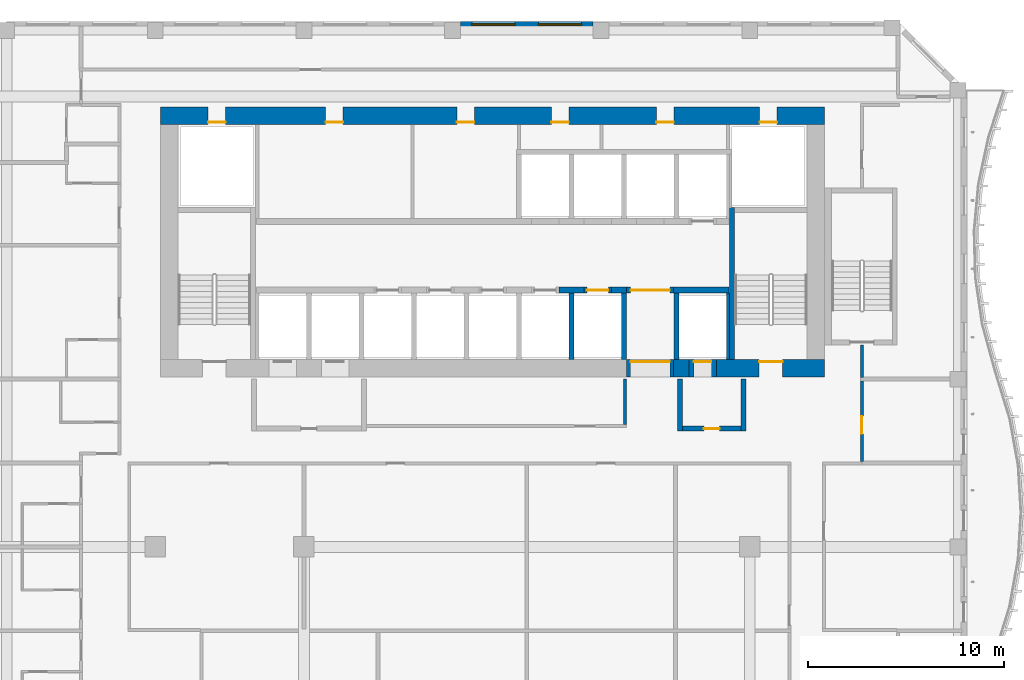
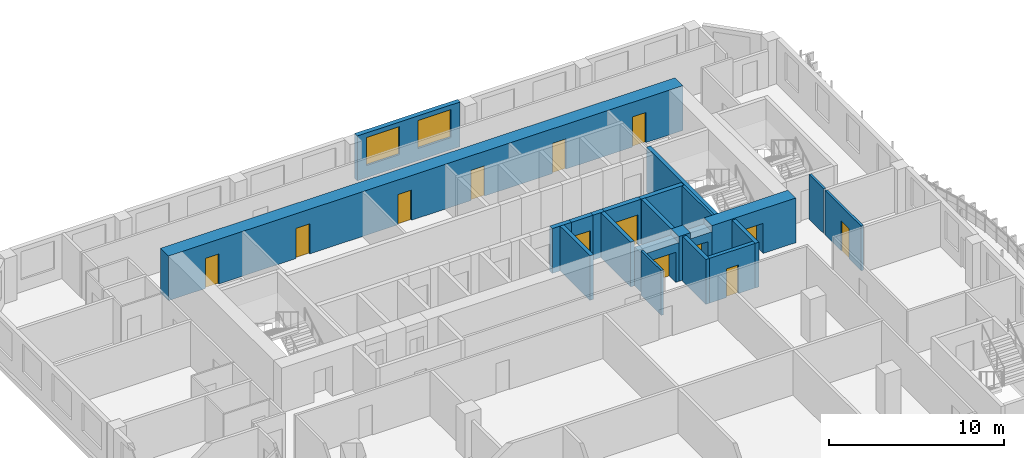
# One storey, part 9 of 23: 22 walls, 13 doors, 2 windows, 15 openings.
"""IFC4 building model written with IfcOpenShell, lengths in metres."""

from ifc_helpers import new_model, si_unit, direction, frame, frame_2d, origin, place, context, subcontext, project, spatial, rectangle, extrude, source, transform, mapped, material, layer, layer_set, type_object, element, fill, save


model = new_model("IFC4")

# Units and contexts
model_context = context("Model", 3, precision=1e-05, world=origin(), true_north=direction((0.0, 1.0)))
body_context = subcontext(model_context, "Body", "Model", "MODEL_VIEW")
ifc_project = project(units=[si_unit("LENGTHUNIT", "METRE"), si_unit("AREAUNIT", "SQUARE_METRE"), si_unit("VOLUMEUNIT", "CUBIC_METRE"), si_unit("PLANEANGLEUNIT", "RADIAN"), si_unit("MASSUNIT", "GRAM", prefix="KILO")], contexts=[model_context])

# Site, building, storey
site_placement = place(None, origin())
site = spatial("IfcSite", under=ifc_project, at=site_placement, CompositionType="ELEMENT")
building_placement = place(site_placement, origin())
building = spatial("IfcBuilding", under=site, at=building_placement, Name="Kilnfold Tower and Market Hall", CompositionType="ELEMENT")
storey_placement = place(building_placement, frame((0.0, 0.0, 178.699951171875)))
storey = spatial("IfcBuildingStorey", under=building, at=storey_placement, Name="L42", CompositionType="ELEMENT", Elevation=178.699951171875)

# Wall, opening, door
ifc_material_1 = material(Name="Gypsum board on steel studs", Category="steel")
ifc_layer_1 = layer(ifc_material_1, 0.14990234375)
ifc_layer_set_1 = layer_set([ifc_layer_1], Name="Gypsum board on steel studs")
wall_type_1 = type_object("IfcWallType", Name="WALL CORRIDOR 150", PredefinedType="PARTITIONING", material=ifc_layer_set_1)
wall_1_placement = place(storey_placement, frame((19.89990234375, 3.80908203125, 0.0), z_axis=(0.0, 0.0, 1.0), x_axis=(0.0, 1.0, 0.0)))
wall_1 = element("IfcWall", 1, at=wall_1_placement, inside=storey, type_object=wall_type_1, Name="Partition LY27.29", PredefinedType="PARTITIONING", context=body_context, shape_type="SweptSolid", body=[
    extrude(rectangle(XDim=4.100830078125, YDim=0.14990234375, at=frame_2d((2.05029296875, 0.0))), origin(), (0.0, 0.0, 1.0), 3.1201171875),
])
opening_1_placement = place(wall_1_placement, frame((1.39990234375, 0.0, 0.0)))
opening_1 = element("IfcOpeningElement", 2, at=opening_1_placement, cuts=wall_1, Name="Opening D2", PredefinedType="OPENING", context=body_context, shape_type="SweptSolid", body=[
    extrude(rectangle(XDim=0.89990234375, YDim=2.10009765625, at=frame_2d((0.449951171875, 1.050048828125))), frame((0.0, 0.0849609375, 0.0), z_axis=(0.0, -1.0, 0.0), x_axis=(1.0, 0.0, 0.0)), (0.0, 0.0, 1.0), 0.169921875),
])
ifc_material_2 = material(Name="Timber veneer door leaf in steel frame", Category="steel")
door_type_1 = type_object("IfcDoorType", Name="DOOR ROOM 900 X2100", OperationType="NOTDEFINED", PredefinedType="DOOR", material=ifc_material_2)
door_1_placement = place(opening_1_placement, origin())
door_1 = element("IfcDoor", 3, at=door_1_placement, inside=storey, type_object=door_type_1, Name="Door D2", OperationType="SINGLE_SWING_LEFT", OverallHeight=2.10009765625, OverallWidth=0.89990234375, PredefinedType="DOOR", context=body_context, shape_type="SweptSolid", body=[
    extrude(rectangle(XDim=0.89990234375, YDim=2.10009765625, at=frame_2d((0.449951171875, 1.050048828125))), frame((0.0, 0.02490234375, 0.0), z_axis=(0.0, -1.0, 0.0), x_axis=(1.0, 0.0, 0.0)), (0.0, 0.0, 1.0), 0.050048828125),
])
fill(opening_1, door_1)

# Walls
wall_2_placement = place(storey_placement, frame((19.89990234375, 8.090087890625, 0.0), z_axis=(0.0, 0.0, 1.0), x_axis=(0.0, 1.0, 0.0)))
element("IfcWall", 4, at=wall_2_placement, inside=storey, type_object=wall_type_1, Name="Partition LY27.32", PredefinedType="PARTITIONING", context=body_context, shape_type="SweptSolid", body=[
    extrude(rectangle(XDim=1.659912109375, YDim=0.14990234375, at=frame_2d((0.830078125, 0.0))), origin(), (0.0, 0.0, 1.0), 3.1201171875),
])
wall_3_placement = place(storey_placement, frame((7.800048828125, 8.0, 0.0), z_axis=(0.0, 0.0, 1.0), x_axis=(0.0, -1.0, 0.0)))
element("IfcWall", 5, at=wall_3_placement, inside=storey, type_object=wall_type_1, Name="Partition LY27.41", PredefinedType="PARTITIONING", context=body_context, shape_type="SweptSolid", body=[
    extrude(rectangle(XDim=2.324951171875, YDim=0.14990234375, at=frame_2d((1.16259765625, 0.0))), origin(), (0.0, 0.0, 1.0), 3.1201171875),
])
ifc_material_3 = material(Name="Concrete C70", Category="concrete")
ifc_layer_2 = layer(ifc_material_3, 0.89990234375)
ifc_layer_set_2 = layer_set([ifc_layer_2], Name="Concrete C70")
wall_type_2 = type_object("IfcWallType", Name="CORE WALL 900 C70", PredefinedType="SHEAR", material=ifc_layer_set_2)
shared_shape_1 = source(origin(), body_context, "Body", "SweptSolid", [
    extrude(rectangle(XDim=0.780029296875, YDim=0.89990234375, at=frame_2d((0.39013671875, 0.0))), origin(), (0.0, 0.0, 1.0), 3.1201171875),
])
wall_4_placement = place(storey_placement, frame((10.2900390625, 8.550048828125, 0.0), z_axis=(0.0, 0.0, 1.0), x_axis=(1.0, 0.0, 0.0)))
element("IfcWall", 6, at=wall_4_placement, inside=storey, type_object=wall_type_2, Name="Core outer wall south", PredefinedType="SHEAR", context=body_context, shape_type="MappedRepresentation", body=[
    mapped(shared_shape_1, transform((0.0, 0.0, 0.0))),
])

# Wall, opening, door
shared_shape_2 = source(origin(), body_context, "Body", "SweptSolid", [
    extrude(rectangle(XDim=5.530029296875, YDim=0.89990234375, at=frame_2d((2.76513671875, 0.0))), origin(), (0.0, 0.0, 1.0), 3.1201171875),
])
wall_5_placement = place(storey_placement, frame((12.469970703125, 8.550048828125, 0.0), z_axis=(0.0, 0.0, 1.0), x_axis=(1.0, 0.0, 0.0)))
wall_5 = element("IfcWall", 7, at=wall_5_placement, inside=storey, type_object=wall_type_2, Name="Core outer wall south", PredefinedType="SHEAR", context=body_context, shape_type="MappedRepresentation", body=[
    mapped(shared_shape_2, transform((0.0, 0.0, 0.0))),
])
opening_2_placement = place(wall_5_placement, frame((2.179931640625, 0.0, 0.0)))
opening_2 = element("IfcOpeningElement", 8, at=opening_2_placement, cuts=wall_5, Name="Opening SD1", PredefinedType="OPENING", context=body_context, shape_type="SweptSolid", body=[
    extrude(rectangle(XDim=1.199951171875, YDim=2.10009765625, at=frame_2d((0.60009765625, 1.050048828125))), frame((0.0, 0.4599609375, 0.0), z_axis=(0.0, -1.0, 0.0), x_axis=(1.0, 0.0, 0.0)), (0.0, 0.0, 1.0), 0.919921875),
])
ifc_material_4 = material(Name="Steel door set with fire-resisting leaf", Category="steel")
door_type_2 = type_object("IfcDoorType", Name="STAIR FLOOR DOOR 1200X2100", OperationType="NOTDEFINED", PredefinedType="DOOR", material=ifc_material_4)
door_2_placement = place(opening_2_placement, origin())
door_2 = element("IfcDoor", 9, at=door_2_placement, inside=storey, type_object=door_type_2, Name="Exit stair ST2 door", OperationType="DOUBLE_DOOR_SINGLE_SWING", OverallHeight=2.10009765625, OverallWidth=1.199951171875, PredefinedType="DOOR", context=body_context, shape_type="SweptSolid", body=[
    extrude(rectangle(XDim=1.199951171875, YDim=2.10009765625, at=frame_2d((0.60009765625, 1.050048828125))), frame((0.0, 0.35498046875, 0.0), z_axis=(0.0, -1.0, 0.0), x_axis=(1.0, 0.0, 0.0)), (0.0, 0.0, 1.0), 0.050048828125),
])
fill(opening_2, door_2)

# Wall, openings, doors
shared_shape_3 = source(origin(), body_context, "Body", "SweptSolid", [
    extrude(rectangle(XDim=33.89990234375, YDim=0.89990234375, at=frame_2d((16.949951171875, 0.0))), origin(), (0.0, 0.0, 1.0), 3.1201171875),
])
wall_6_placement = place(storey_placement, frame((-15.89990234375, 21.449951171875, 0.0), z_axis=(0.0, 0.0, 1.0), x_axis=(1.0, 0.0, 0.0)))
wall_6 = element("IfcWall", 10, at=wall_6_placement, inside=storey, type_object=wall_type_2, Name="Core outer wall north", PredefinedType="SHEAR", context=body_context, shape_type="MappedRepresentation", body=[
    mapped(shared_shape_3, transform((0.0, 0.0, 0.0))),
])
opening_3_placement = place(wall_6_placement, frame((8.419921875, 0.0, 0.0)))
opening_3 = element("IfcOpeningElement", 11, at=opening_3_placement, cuts=wall_6, Name="Opening KD1", PredefinedType="OPENING", context=body_context, shape_type="SweptSolid", body=[
    extrude(rectangle(XDim=0.89990234375, YDim=2.10009765625, at=frame_2d((0.449951171875, 1.050048828125))), frame((0.0, 0.4599609375, 0.0), z_axis=(0.0, -1.0, 0.0), x_axis=(1.0, 0.0, 0.0)), (0.0, 0.0, 1.0), 0.919921875),
])
opening_4_placement = place(wall_6_placement, frame((15.119873046875, 0.0, 0.0)))
opening_4 = element("IfcOpeningElement", 12, at=opening_4_placement, cuts=wall_6, Name="Opening KD1", PredefinedType="OPENING", context=body_context, shape_type="SweptSolid", body=[
    extrude(rectangle(XDim=0.89990234375, YDim=2.10009765625, at=frame_2d((0.449951171875, 1.050048828125))), frame((0.0, 0.4599609375, 0.0), z_axis=(0.0, -1.0, 0.0), x_axis=(1.0, 0.0, 0.0)), (0.0, 0.0, 1.0), 0.919921875),
])
opening_5_placement = place(wall_6_placement, frame((19.94384765625, 0.0, 0.0)))
opening_5 = element("IfcOpeningElement", 13, at=opening_5_placement, cuts=wall_6, Name="Opening KD1", PredefinedType="OPENING", context=body_context, shape_type="SweptSolid", body=[
    extrude(rectangle(XDim=0.89990234375, YDim=2.10009765625, at=frame_2d((0.449951171875, 1.050048828125))), frame((0.0, 0.4599609375, 0.0), z_axis=(0.0, -1.0, 0.0), x_axis=(1.0, 0.0, 0.0)), (0.0, 0.0, 1.0), 0.919921875),
])
opening_6_placement = place(wall_6_placement, frame((25.3037109375, 0.0, 0.0)))
opening_6 = element("IfcOpeningElement", 14, at=opening_6_placement, cuts=wall_6, Name="Opening KD1", PredefinedType="OPENING", context=body_context, shape_type="SweptSolid", body=[
    extrude(rectangle(XDim=0.89990234375, YDim=2.10009765625, at=frame_2d((0.449951171875, 1.050048828125))), frame((0.0, 0.4599609375, 0.0), z_axis=(0.0, -1.0, 0.0), x_axis=(1.0, 0.0, 0.0)), (0.0, 0.0, 1.0), 0.919921875),
])
opening_7_placement = place(wall_6_placement, frame((2.425048828125, 0.0, 0.0)))
opening_7 = element("IfcOpeningElement", 15, at=opening_7_placement, cuts=wall_6, Name="Opening KD1", PredefinedType="OPENING", context=body_context, shape_type="SweptSolid", body=[
    extrude(rectangle(XDim=0.89990234375, YDim=2.10009765625, at=frame_2d((0.449951171875, 1.050048828125))), frame((0.0, 0.4599609375, 0.0), z_axis=(0.0, -1.0, 0.0), x_axis=(1.0, 0.0, 0.0)), (0.0, 0.0, 1.0), 0.919921875),
])
opening_8_placement = place(wall_6_placement, frame((30.574951171875, 0.0, 0.0)))
opening_8 = element("IfcOpeningElement", 16, at=opening_8_placement, cuts=wall_6, Name="Opening KD1", PredefinedType="OPENING", context=body_context, shape_type="SweptSolid", body=[
    extrude(rectangle(XDim=0.89990234375, YDim=2.10009765625, at=frame_2d((0.449951171875, 1.050048828125))), frame((0.0, 0.4599609375, 0.0), z_axis=(0.0, -1.0, 0.0), x_axis=(1.0, 0.0, 0.0)), (0.0, 0.0, 1.0), 0.919921875),
])
ifc_material_5 = material(Name="Steel door set with fire-resisting leaf", Category="steel")
door_type_3 = type_object("IfcDoorType", Name="SERVICE DOOR 900X2100", OperationType="NOTDEFINED", PredefinedType="DOOR", material=ifc_material_5)
door_3_placement = place(opening_3_placement, origin())
door_3 = element("IfcDoor", 17, at=door_3_placement, inside=storey, type_object=door_type_3, Name="Core service door", OperationType="SINGLE_SWING_RIGHT", OverallHeight=2.10009765625, OverallWidth=0.89990234375, PredefinedType="DOOR", context=body_context, shape_type="SweptSolid", body=[
    extrude(rectangle(XDim=0.89990234375, YDim=2.10009765625, at=frame_2d((0.449951171875, 1.050048828125))), frame((0.0, -0.30517578125, 0.0), z_axis=(0.0, -1.0, 0.0), x_axis=(1.0, 0.0, 0.0)), (0.0, 0.0, 1.0), 0.050048828125),
])
fill(opening_3, door_3)
door_4_placement = place(opening_4_placement, origin())
door_4 = element("IfcDoor", 18, at=door_4_placement, inside=storey, type_object=door_type_3, Name="Core service door", OperationType="SINGLE_SWING_LEFT", OverallHeight=2.10009765625, OverallWidth=0.89990234375, PredefinedType="DOOR", context=body_context, shape_type="SweptSolid", body=[
    extrude(rectangle(XDim=0.89990234375, YDim=2.10009765625, at=frame_2d((0.449951171875, 1.050048828125))), frame((0.0, -0.30517578125, 0.0), z_axis=(0.0, -1.0, 0.0), x_axis=(1.0, 0.0, 0.0)), (0.0, 0.0, 1.0), 0.050048828125),
])
fill(opening_4, door_4)
door_5_placement = place(opening_5_placement, origin())
door_5 = element("IfcDoor", 19, at=door_5_placement, inside=storey, type_object=door_type_3, Name="Core service door", OperationType="SINGLE_SWING_RIGHT", OverallHeight=2.10009765625, OverallWidth=0.89990234375, PredefinedType="DOOR", context=body_context, shape_type="SweptSolid", body=[
    extrude(rectangle(XDim=0.89990234375, YDim=2.10009765625, at=frame_2d((0.449951171875, 1.050048828125))), frame((0.0, -0.30517578125, 0.0), z_axis=(0.0, -1.0, 0.0), x_axis=(1.0, 0.0, 0.0)), (0.0, 0.0, 1.0), 0.050048828125),
])
fill(opening_5, door_5)
door_6_placement = place(opening_6_placement, origin())
door_6 = element("IfcDoor", 20, at=door_6_placement, inside=storey, type_object=door_type_3, Name="Core service door", OperationType="SINGLE_SWING_LEFT", OverallHeight=2.10009765625, OverallWidth=0.89990234375, PredefinedType="DOOR", context=body_context, shape_type="SweptSolid", body=[
    extrude(rectangle(XDim=0.89990234375, YDim=2.10009765625, at=frame_2d((0.449951171875, 1.050048828125))), frame((0.0, -0.30517578125, 0.0), z_axis=(0.0, -1.0, 0.0), x_axis=(1.0, 0.0, 0.0)), (0.0, 0.0, 1.0), 0.050048828125),
])
fill(opening_6, door_6)
door_7_placement = place(opening_7_placement, origin())
door_7 = element("IfcDoor", 21, at=door_7_placement, inside=storey, type_object=door_type_3, Name="Electrical riser access door", OperationType="SINGLE_SWING_RIGHT", OverallHeight=2.10009765625, OverallWidth=0.89990234375, PredefinedType="DOOR", context=body_context, shape_type="SweptSolid", body=[
    extrude(rectangle(XDim=0.89990234375, YDim=2.10009765625, at=frame_2d((0.449951171875, 1.050048828125))), frame((0.0, -0.30517578125, 0.0), z_axis=(0.0, -1.0, 0.0), x_axis=(1.0, 0.0, 0.0)), (0.0, 0.0, 1.0), 0.050048828125),
])
fill(opening_7, door_7)
door_8_placement = place(opening_8_placement, origin())
door_8 = element("IfcDoor", 22, at=door_8_placement, inside=storey, type_object=door_type_3, Name="Mechanical riser access door", OperationType="SINGLE_SWING_LEFT", OverallHeight=2.10009765625, OverallWidth=0.89990234375, PredefinedType="DOOR", context=body_context, shape_type="SweptSolid", body=[
    extrude(rectangle(XDim=0.89990234375, YDim=2.10009765625, at=frame_2d((0.449951171875, 1.050048828125))), frame((0.0, -0.30517578125, 0.0), z_axis=(0.0, -1.0, 0.0), x_axis=(1.0, 0.0, 0.0)), (0.0, 0.0, 1.0), 0.050048828125),
])
fill(opening_8, door_8)

# Walls
ifc_material_6 = material(Name="Concrete C70", Category="concrete")
ifc_layer_3 = layer(ifc_material_6, 0.25)
ifc_layer_set_3 = layer_set([ifc_layer_3], Name="Concrete C70")
wall_type_3 = type_object("IfcWallType", Name="CORE WALL 250 C70", PredefinedType="SHEAR", material=ifc_layer_set_3)
shared_shape_4 = source(origin(), body_context, "Body", "SweptSolid", [
    extrude(rectangle(XDim=7.75, YDim=0.25, at=frame_2d((3.875, 0.0))), origin(), (0.0, 0.0, 1.0), 3.1201171875),
])
wall_7_placement = place(storey_placement, frame((13.27490234375, 9.0, 0.0), z_axis=(0.0, 0.0, 1.0), x_axis=(0.0, 1.0, 0.0)))
element("IfcWall", 23, at=wall_7_placement, inside=storey, type_object=wall_type_3, Name="Stair enclosure ST2", PredefinedType="SHEAR", context=body_context, shape_type="MappedRepresentation", body=[
    mapped(shared_shape_4, transform((0.0, 0.0, 0.0))),
])
ifc_material_7 = material(Name="Concrete C70", Category="concrete")
ifc_layer_4 = layer(ifc_material_7, 0.300048828125)
ifc_layer_set_4 = layer_set([ifc_layer_4], Name="Concrete C70")
wall_type_4 = type_object("IfcWallType", Name="CORE WALL 300 C70", PredefinedType="SHEAR", material=ifc_layer_set_4)
shared_shape_5 = source(origin(), body_context, "Body", "SweptSolid", [
    extrude(rectangle(XDim=1.280029296875, YDim=0.300048828125, at=frame_2d((0.64013671875, 0.0))), origin(), (0.0, 0.0, 1.0), 3.1201171875),
])
wall_8_placement = place(storey_placement, frame((4.429931640625, 12.550048828125, 0.0), z_axis=(0.0, 0.0, 1.0), x_axis=(1.0, 0.0, 0.0)))
element("IfcWall", 24, at=wall_8_placement, inside=storey, type_object=wall_type_4, Name="Core spine wall", PredefinedType="SHEAR", context=body_context, shape_type="MappedRepresentation", body=[
    mapped(shared_shape_5, transform((0.0, 0.0, 0.0))),
])
shared_shape_6 = source(origin(), body_context, "Body", "SweptSolid", [
    extrude(rectangle(XDim=0.77978515625, YDim=0.300048828125, at=frame_2d((0.389892578125, 0.0))), origin(), (0.0, 0.0, 1.0), 3.1201171875),
])
wall_9_placement = place(storey_placement, frame((7.110107421875, 12.550048828125, 0.0), z_axis=(0.0, 0.0, 1.0), x_axis=(1.0, 0.0, 0.0)))
element("IfcWall", 25, at=wall_9_placement, inside=storey, type_object=wall_type_4, Name="Core spine wall", PredefinedType="SHEAR", context=body_context, shape_type="MappedRepresentation", body=[
    mapped(shared_shape_6, transform((0.0, 0.0, 0.0))),
])
shared_shape_7 = source(origin(), body_context, "Body", "SweptSolid", [
    extrude(rectangle(XDim=2.820068359375, YDim=0.300048828125, at=frame_2d((1.41015625, 0.0))), origin(), (0.0, 0.0, 1.0), 3.1201171875),
])
wall_10_placement = place(storey_placement, frame((10.2900390625, 12.550048828125, 0.0), z_axis=(0.0, 0.0, 1.0), x_axis=(1.0, 0.0, 0.0)))
element("IfcWall", 26, at=wall_10_placement, inside=storey, type_object=wall_type_4, Name="Core spine wall", PredefinedType="SHEAR", context=body_context, shape_type="MappedRepresentation", body=[
    mapped(shared_shape_7, transform((0.0, 0.0, 0.0))),
])

# Wall, openings, windows
ifc_material_8 = material(Name="Precast concrete C50/60", Category="concrete")
ifc_layer_5 = layer(ifc_material_8, 0.300048828125)
ifc_layer_set_5 = layer_set([ifc_layer_5], Name="Precast concrete C50/60")
wall_type_5 = type_object("IfcWallType", Name="PRECAST WALL 300", PredefinedType="SOLIDWALL", material=ifc_layer_set_5)
shared_shape_8 = source(origin(), body_context, "Body", "SweptSolid", [
    extrude(rectangle(XDim=6.783447265625, YDim=0.300048828125, at=frame_2d((3.3916015625, 0.0))), origin(), (0.0, 0.0, 1.0), 3.1201171875),
])
wall_11_placement = place(storey_placement, frame((6.183349609375, 26.10009765625, 0.0), z_axis=(0.0, 0.0, 1.0), x_axis=(-1.0, 0.0, 0.0)))
wall_11 = element("IfcWall", 27, at=wall_11_placement, inside=storey, type_object=wall_type_5, Name="External wall L42 N", PredefinedType="SOLIDWALL", context=body_context, shape_type="MappedRepresentation", body=[
    mapped(shared_shape_8, transform((0.0, 0.0, 0.0))),
])
opening_9_placement = place(wall_11_placement, frame((0.595703125, 0.0, 0.85009765625)))
opening_9 = element("IfcOpeningElement", 28, at=opening_9_placement, cuts=wall_11, Name="Opening W2", PredefinedType="OPENING", context=body_context, shape_type="SweptSolid", body=[
    extrude(rectangle(XDim=2.199951171875, YDim=1.949951171875, at=frame_2d((1.10009765625, 0.97509765625))), frame((0.0, 0.16015625, 0.0), z_axis=(0.0, -1.0, 0.0), x_axis=(1.0, 0.0, 0.0)), (0.0, 0.0, 1.0), 0.320068359375),
])
opening_10_placement = place(wall_11_placement, frame((3.987548828125, 0.0, 0.85009765625)))
opening_10 = element("IfcOpeningElement", 29, at=opening_10_placement, cuts=wall_11, Name="Opening W2", PredefinedType="OPENING", context=body_context, shape_type="SweptSolid", body=[
    extrude(rectangle(XDim=2.199951171875, YDim=1.949951171875, at=frame_2d((1.10009765625, 0.97509765625))), frame((0.0, 0.16015625, 0.0), z_axis=(0.0, -1.0, 0.0), x_axis=(1.0, 0.0, 0.0)), (0.0, 0.0, 1.0), 0.320068359375),
])
ifc_material_9 = material(Name="Aluminium frame and double glazing", Category="aluminium")
window_type = type_object("IfcWindowType", Name="WINDOW W2 2200X1950", PartitioningType="SINGLE_PANEL", PredefinedType="WINDOW", material=ifc_material_9)
window_1_placement = place(opening_9_placement, origin())
window_1 = element("IfcWindow", 30, at=window_1_placement, inside=storey, type_object=window_type, Name="Window W2 L42 N-1", OverallHeight=1.949951171875, OverallWidth=2.199951171875, PartitioningType="SINGLE_PANEL", PredefinedType="WINDOW", context=body_context, shape_type="SweptSolid", body=[
    extrude(rectangle(XDim=2.199951171875, YDim=1.949951171875, at=frame_2d((1.10009765625, 0.97509765625))), frame((0.0, 0.030029296875, 0.0), z_axis=(0.0, -1.0, 0.0), x_axis=(1.0, 0.0, 0.0)), (0.0, 0.0, 1.0), 0.06005859375),
])
fill(opening_9, window_1)
window_2_placement = place(opening_10_placement, origin())
window_2 = element("IfcWindow", 31, at=window_2_placement, inside=storey, type_object=window_type, Name="Window W2 L42 N-2", OverallHeight=1.949951171875, OverallWidth=2.199951171875, PartitioningType="SINGLE_PANEL", PredefinedType="WINDOW", context=body_context, shape_type="SweptSolid", body=[
    extrude(rectangle(XDim=2.199951171875, YDim=1.949951171875, at=frame_2d((1.10009765625, 0.97509765625))), frame((0.0, 0.030029296875, 0.0), z_axis=(0.0, -1.0, 0.0), x_axis=(1.0, 0.0, 0.0)), (0.0, 0.0, 1.0), 0.06005859375),
])
fill(opening_10, window_2)

# Wall, opening, door
ifc_material_10 = material(Name="Gypsum shaft wall system")
ifc_layer_6 = layer(ifc_material_10, 0.89990234375)
ifc_layer_set_6 = layer_set([ifc_layer_6], Name="Gypsum shaft wall system")
wall_type_6 = type_object("IfcWallType", Name="LOBBY WALL 900", PredefinedType="PARTITIONING", material=ifc_layer_set_6)
shared_shape_9 = source(origin(), body_context, "Body", "SweptSolid", [
    extrude(rectangle(XDim=1.39990234375, YDim=0.89990234375, at=frame_2d((0.699951171875, 0.0))), origin(), (0.0, 0.0, 1.0), 2.699951171875),
])
wall_12_placement = place(storey_placement, frame((11.070068359375, 8.550048828125, 0.0), z_axis=(0.0, 0.0, 1.0), x_axis=(1.0, 0.0, 0.0)))
wall_12 = element("IfcWall", 32, at=wall_12_placement, inside=storey, type_object=wall_type_6, Name="Core wall infill", PredefinedType="PARTITIONING", context=body_context, shape_type="MappedRepresentation", body=[
    mapped(shared_shape_9, transform((0.0, 0.0, 0.0))),
])
opening_11_placement = place(wall_12_placement, frame((0.25, 0.0, 0.0)))
opening_11 = element("IfcOpeningElement", 33, at=opening_11_placement, cuts=wall_12, Name="Opening LD1", PredefinedType="OPENING", context=body_context, shape_type="SweptSolid", body=[
    extrude(rectangle(XDim=0.89990234375, YDim=2.10009765625, at=frame_2d((0.449951171875, 1.050048828125))), frame((0.0, 0.4599609375, 0.0), z_axis=(0.0, -1.0, 0.0), x_axis=(1.0, 0.0, 0.0)), (0.0, 0.0, 1.0), 0.919921875),
])
ifc_material_11 = material(Name="Steel door set with fire-resisting leaf", Category="steel")
door_type_4 = type_object("IfcDoorType", Name="FIREFIGHTING LANDING DOOR 900X2100", OperationType="NOTDEFINED", PredefinedType="DOOR", material=ifc_material_11)
door_9_placement = place(opening_11_placement, origin())
door_9 = element("IfcDoor", 34, at=door_9_placement, inside=storey, type_object=door_type_4, Name="Landing door FF3", OperationType="SLIDING_TO_LEFT", OverallHeight=2.10009765625, OverallWidth=0.89990234375, PredefinedType="DOOR", context=body_context, shape_type="SweptSolid", body=[
    extrude(rectangle(XDim=0.89990234375, YDim=2.10009765625, at=frame_2d((0.449951171875, 1.050048828125))), frame((0.0, 0.35498046875, 0.0), z_axis=(0.0, -1.0, 0.0), x_axis=(1.0, 0.0, 0.0)), (0.0, 0.0, 1.0), 0.050048828125),
])
fill(opening_11, door_9)

shared_shape_10 = source(origin(), body_context, "Body", "SweptSolid", [
    extrude(rectangle(XDim=2.400146484375, YDim=0.89990234375, at=frame_2d((1.2001953125, 0.0))), origin(), (0.0, 0.0, 1.0), 2.699951171875),
])
wall_13_placement = place(storey_placement, frame((7.889892578125, 8.550048828125, 0.0), z_axis=(0.0, 0.0, 1.0), x_axis=(1.0, 0.0, 0.0)))
wall_13 = element("IfcWall", 35, at=wall_13_placement, inside=storey, type_object=wall_type_6, Name="Core wall infill", PredefinedType="PARTITIONING", context=body_context, shape_type="MappedRepresentation", body=[
    mapped(shared_shape_10, transform((0.0, 0.0, 0.0))),
])
opening_12_placement = place(wall_13_placement, frame((0.199951171875, 0.0, 0.0)))
opening_12 = element("IfcOpeningElement", 36, at=opening_12_placement, cuts=wall_13, Name="Opening VD2", PredefinedType="OPENING", context=body_context, shape_type="SweptSolid", body=[
    extrude(rectangle(XDim=2.0, YDim=2.10009765625, at=frame_2d((1.0, 1.050048828125))), frame((0.0, 0.4599609375, 0.0), z_axis=(0.0, -1.0, 0.0), x_axis=(1.0, 0.0, 0.0)), (0.0, 0.0, 1.0), 0.919921875),
])
ifc_material_12 = material(Name="Steel door set with fire-resisting leaf", Category="steel")
door_type_5 = type_object("IfcDoorType", Name="LIFT LOBBY ENTRANCE DOOR 2000X2100", OperationType="NOTDEFINED", PredefinedType="DOOR", material=ifc_material_12)
door_10_placement = place(opening_12_placement, origin())
door_10 = element("IfcDoor", 37, at=door_10_placement, inside=storey, type_object=door_type_5, Name="Lift lobby entrance door", OperationType="DOUBLE_DOOR_SINGLE_SWING", OverallHeight=2.10009765625, OverallWidth=2.0, PredefinedType="DOOR", context=body_context, shape_type="SweptSolid", body=[
    extrude(rectangle(XDim=2.0, YDim=2.10009765625, at=frame_2d((1.0, 1.050048828125))), frame((0.0, 0.35498046875, 0.0), z_axis=(0.0, -1.0, 0.0), x_axis=(1.0, 0.0, 0.0)), (0.0, 0.0, 1.0), 0.050048828125),
])
fill(opening_12, door_10)

ifc_material_13 = material(Name="Gypsum shaft wall system")
ifc_layer_7 = layer(ifc_material_13, 0.300048828125)
ifc_layer_set_7 = layer_set([ifc_layer_7], Name="Gypsum shaft wall system")
wall_type_7 = type_object("IfcWallType", Name="SHAFT WALL 300", PredefinedType="PARTITIONING", material=ifc_layer_set_7)
shared_shape_11 = source(origin(), body_context, "Body", "SweptSolid", [
    extrude(rectangle(XDim=1.400146484375, YDim=0.300048828125, at=frame_2d((0.7001953125, 0.0))), origin(), (0.0, 0.0, 1.0), 3.1201171875),
])
wall_14_placement = place(storey_placement, frame((5.7099609375, 12.550048828125, 0.0), z_axis=(0.0, 0.0, 1.0), x_axis=(1.0, 0.0, 0.0)))
wall_14 = element("IfcWall", 38, at=wall_14_placement, inside=storey, type_object=wall_type_7, Name="Lift shaft front wall", PredefinedType="PARTITIONING", context=body_context, shape_type="MappedRepresentation", body=[
    mapped(shared_shape_11, transform((0.0, 0.0, 0.0))),
])
opening_13_placement = place(wall_14_placement, frame((0.14990234375, 0.0, 0.0)))
opening_13 = element("IfcOpeningElement", 39, at=opening_13_placement, cuts=wall_14, Name="Opening LD2", PredefinedType="OPENING", context=body_context, shape_type="SweptSolid", body=[
    extrude(rectangle(XDim=1.10009765625, YDim=2.10009765625, at=frame_2d((0.550048828125, 1.050048828125))), frame((0.0, 0.16015625, 0.0), z_axis=(0.0, -1.0, 0.0), x_axis=(1.0, 0.0, 0.0)), (0.0, 0.0, 1.0), 0.320068359375),
])
ifc_material_14 = material(Name="Steel door set with fire-resisting leaf", Category="steel")
door_type_6 = type_object("IfcDoorType", Name="LANDING DOOR 1100X2100", OperationType="NOTDEFINED", PredefinedType="DOOR", material=ifc_material_14)
door_11_placement = place(opening_13_placement, origin())
door_11 = element("IfcDoor", 40, at=door_11_placement, inside=storey, type_object=door_type_6, Name="Landing door MR5", OperationType="DOUBLE_DOOR_SLIDING", OverallHeight=2.10009765625, OverallWidth=1.10009765625, PredefinedType="DOOR", context=body_context, shape_type="SweptSolid", body=[
    extrude(rectangle(XDim=1.10009765625, YDim=2.10009765625, at=frame_2d((0.550048828125, 1.050048828125))), frame((0.0, 0.02490234375, 0.0), z_axis=(0.0, -1.0, 0.0), x_axis=(1.0, 0.0, 0.0)), (0.0, 0.0, 1.0), 0.050048828125),
])
fill(opening_13, door_11)

shared_shape_12 = source(origin(), body_context, "Body", "SweptSolid", [
    extrude(rectangle(XDim=2.400146484375, YDim=0.300048828125, at=frame_2d((1.2001953125, 0.0))), origin(), (0.0, 0.0, 1.0), 3.1201171875),
])
wall_15_placement = place(storey_placement, frame((7.889892578125, 12.550048828125, 0.0), z_axis=(0.0, 0.0, 1.0), x_axis=(1.0, 0.0, 0.0)))
wall_15 = element("IfcWall", 41, at=wall_15_placement, inside=storey, type_object=wall_type_7, Name="Lift shaft front wall", PredefinedType="PARTITIONING", context=body_context, shape_type="MappedRepresentation", body=[
    mapped(shared_shape_12, transform((0.0, 0.0, 0.0))),
])
opening_14_placement = place(wall_15_placement, frame((0.199951171875, 0.0, 0.0)))
opening_14 = element("IfcOpeningElement", 42, at=opening_14_placement, cuts=wall_15, Name="Opening VD2", PredefinedType="OPENING", context=body_context, shape_type="SweptSolid", body=[
    extrude(rectangle(XDim=2.0, YDim=2.10009765625, at=frame_2d((1.0, 1.050048828125))), frame((0.0, 0.16015625, 0.0), z_axis=(0.0, -1.0, 0.0), x_axis=(1.0, 0.0, 0.0)), (0.0, 0.0, 1.0), 0.320068359375),
])
door_12_placement = place(opening_14_placement, origin())
door_12 = element("IfcDoor", 43, at=door_12_placement, inside=storey, type_object=door_type_5, Name="Lift lobby entrance door", OperationType="DOUBLE_DOOR_SINGLE_SWING", OverallHeight=2.10009765625, OverallWidth=2.0, PredefinedType="DOOR", context=body_context, shape_type="SweptSolid", body=[
    extrude(rectangle(XDim=2.0, YDim=2.10009765625, at=frame_2d((1.0, 1.050048828125))), frame((0.0, 0.02490234375, 0.0), z_axis=(0.0, -1.0, 0.0), x_axis=(1.0, 0.0, 0.0)), (0.0, 0.0, 1.0), 0.050048828125),
])
fill(opening_14, door_12)

# Walls
ifc_material_15 = material(Name="Gypsum shaft wall system")
ifc_layer_8 = layer(ifc_material_15, 0.25)
ifc_layer_set_8 = layer_set([ifc_layer_8], Name="Gypsum shaft wall system")
wall_type_8 = type_object("IfcWallType", Name="LOBBY WALL 250", PredefinedType="PARTITIONING", material=ifc_layer_set_8)
shared_shape_13 = source(origin(), body_context, "Body", "SweptSolid", [
    extrude(rectangle(XDim=2.64990234375, YDim=0.25, at=frame_2d((1.324951171875, 0.0))), origin(), (0.0, 0.0, 1.0), 3.1201171875),
])
for number, where, z_axis, x_axis, name in (
    (44, (10.60498046875, 5.35009765625, 0.0), (0.0, 0.0, 1.0), (0.0, 1.0, 0.0), "Firefighting lobby wall"),
    (45, (13.85498046875, 5.35009765625, 0.0), (0.0, 0.0, 1.0), (0.0, 1.0, 0.0), "Firefighting lobby wall"),
):
    element("IfcWall", number, at=place(storey_placement, frame(where, z_axis=z_axis, x_axis=x_axis)), inside=storey, type_object=wall_type_8, Name=name, PredefinedType="PARTITIONING", context=body_context, shape_type="MappedRepresentation", body=[
        mapped(shared_shape_13, transform((0.0, 0.0, 0.0))),
    ])

# Wall, opening, door
shared_shape_14 = source(origin(), body_context, "Body", "SweptSolid", [
    extrude(rectangle(XDim=3.0, YDim=0.25, at=frame_2d((1.5, 0.0))), origin(), (0.0, 0.0, 1.0), 3.1201171875),
])
wall_16_placement = place(storey_placement, frame((10.72998046875, 5.47509765625, 0.0), z_axis=(0.0, 0.0, 1.0), x_axis=(1.0, 0.0, 0.0)))
wall_16 = element("IfcWall", 46, at=wall_16_placement, inside=storey, type_object=wall_type_8, Name="Firefighting lobby wall", PredefinedType="PARTITIONING", context=body_context, shape_type="MappedRepresentation", body=[
    mapped(shared_shape_14, transform((0.0, 0.0, 0.0))),
])
opening_15_placement = place(wall_16_placement, frame((1.10009765625, 0.0, 0.0)))
opening_15 = element("IfcOpeningElement", 47, at=opening_15_placement, cuts=wall_16, Name="Opening VD1", PredefinedType="OPENING", context=body_context, shape_type="SweptSolid", body=[
    extrude(rectangle(XDim=0.800048828125, YDim=2.0, at=frame_2d((0.39990234375, 1.0))), frame((0.0, 0.135009765625, 0.0), z_axis=(0.0, -1.0, 0.0), x_axis=(1.0, 0.0, 0.0)), (0.0, 0.0, 1.0), 0.27001953125),
])
ifc_material_16 = material(Name="Steel door set with fire-resisting leaf", Category="steel")
door_type_7 = type_object("IfcDoorType", Name="FIREFIGHTING LOBBY DOOR 800X2000", OperationType="NOTDEFINED", PredefinedType="DOOR", material=ifc_material_16)
door_13_placement = place(opening_15_placement, origin())
door_13 = element("IfcDoor", 48, at=door_13_placement, inside=storey, type_object=door_type_7, Name="Firefighting lobby door", OperationType="SINGLE_SWING_RIGHT", OverallHeight=2.0, OverallWidth=0.800048828125, PredefinedType="DOOR", context=body_context, shape_type="SweptSolid", body=[
    extrude(rectangle(XDim=0.800048828125, YDim=2.0, at=frame_2d((0.39990234375, 1.0))), frame((0.0, 0.02490234375, 0.0), z_axis=(0.0, -1.0, 0.0), x_axis=(1.0, 0.0, 0.0)), (0.0, 0.0, 1.0), 0.050048828125),
])
fill(opening_15, door_13)

# Walls
ifc_material_17 = material(Name="Gypsum shaft wall system")
ifc_layer_9 = layer(ifc_material_17, 0.25)
ifc_layer_set_9 = layer_set([ifc_layer_9], Name="Gypsum shaft wall system")
wall_type_9 = type_object("IfcWallType", Name="SHAFT WALL 250", PredefinedType="PARTITIONING", material=ifc_layer_set_9)
shared_shape_15 = source(origin(), body_context, "Body", "SweptSolid", [
    extrude(rectangle(XDim=3.39990234375, YDim=0.25, at=frame_2d((1.699951171875, 0.0))), origin(), (0.0, 0.0, 1.0), 3.1201171875),
])
for number, where, z_axis, x_axis, name in (
    (49, (10.429931640625, 9.0, 0.0), (0.0, 0.0, 1.0), (0.0, 1.0, 0.0), "Lift shaft wall"),
    (50, (5.070068359375, 9.0, 0.0), (0.0, 0.0, 1.0), (0.0, 1.0, 0.0), "Lift shaft wall"),
    (51, (7.75, 9.0, 0.0), (0.0, 0.0, 1.0), (0.0, 1.0, 0.0), "Lift shaft wall"),
):
    element("IfcWall", number, at=place(storey_placement, frame(where, z_axis=z_axis, x_axis=x_axis)), inside=storey, type_object=wall_type_9, Name=name, PredefinedType="PARTITIONING", context=body_context, shape_type="MappedRepresentation", body=[
        mapped(shared_shape_15, transform((0.0, 0.0, 0.0))),
    ])
ifc_material_18 = material(Name="Gypsum shaft wall system")
ifc_layer_10 = layer(ifc_material_18, 0.1650390625)
ifc_layer_set_10 = layer_set([ifc_layer_10], Name="Gypsum shaft wall system")
wall_type_10 = type_object("IfcWallType", Name="SHAFT WALL 165", PredefinedType="PARTITIONING", material=ifc_layer_set_10)
shared_shape_16 = source(origin(), body_context, "Body", "SweptSolid", [
    extrude(rectangle(XDim=3.39990234375, YDim=0.1650390625, at=frame_2d((1.699951171875, 0.0))), origin(), (0.0, 0.0, 1.0), 3.1201171875),
])
wall_17_placement = place(storey_placement, frame((13.0673828125, 9.0, 0.0), z_axis=(0.0, 0.0, 1.0), x_axis=(0.0, 1.0, 0.0)))
element("IfcWall", 52, at=wall_17_placement, inside=storey, type_object=wall_type_10, Name="Lift shaft wall", PredefinedType="PARTITIONING", context=body_context, shape_type="MappedRepresentation", body=[
    mapped(shared_shape_16, transform((0.0, 0.0, 0.0))),
])

save(model, "model.ifc")
